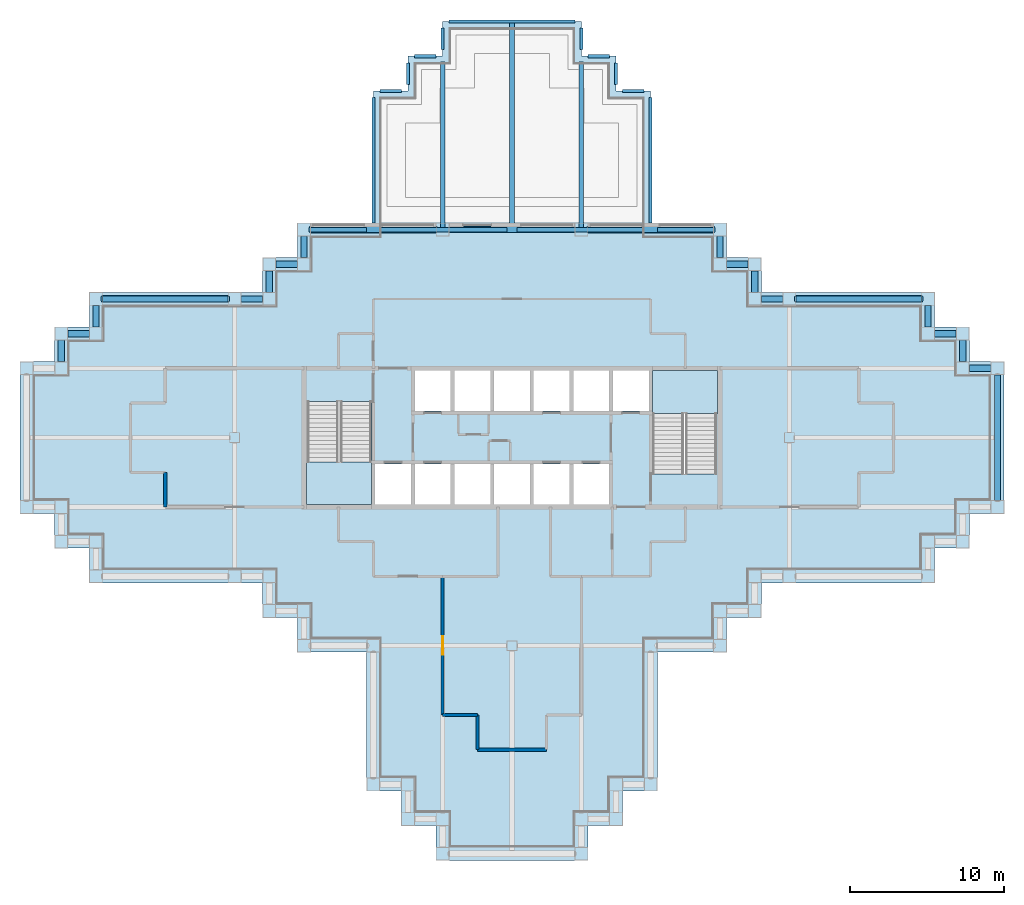
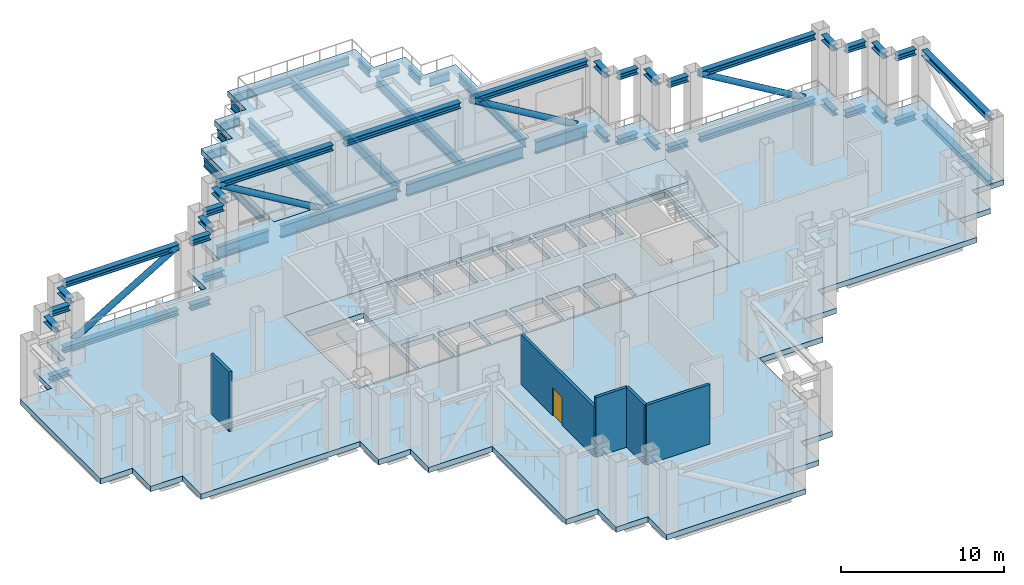
# One storey, part 2 of 10: 57 beams, 5 slabs, 5 walls, 4 members, 1 door, 1 opening, 2 elements without a shape of their own.
"""IFC4 building model written with IfcOpenShell, lengths in metres."""

from ifc_helpers import new_model, si_unit, direction, frame, frame_2d, origin, origin_2d, place, context, subcontext, project, spatial, polyline, rectangle, hollow_circle, i_section, outline, extrude, material, layer, layer_set, material_profile, profile_set, type_object, element, fill, aggregate, save


model = new_model("IFC4")

# Units and contexts
model_context = context("Model", 3, precision=1e-05, world=origin(), true_north=direction((0.0, 1.0)))
body_context = subcontext(model_context, "Body", "Model", "MODEL_VIEW")
ifc_project = project(units=[si_unit("LENGTHUNIT", "METRE"), si_unit("AREAUNIT", "SQUARE_METRE"), si_unit("VOLUMEUNIT", "CUBIC_METRE"), si_unit("PLANEANGLEUNIT", "RADIAN"), si_unit("MASSUNIT", "GRAM", prefix="KILO")], contexts=[model_context])

# Site, building, storey
site_placement = place(None, origin())
site = spatial("IfcSite", under=ifc_project, at=site_placement, CompositionType="ELEMENT")
building_placement = place(site_placement, origin())
building = spatial("IfcBuilding", under=site, at=building_placement, Name="Caravel Reach Hotel and Residences", CompositionType="ELEMENT")
storey_placement = place(building_placement, frame((0.0, 0.0, 140.39990234375)))
storey = spatial("IfcBuildingStorey", under=building, at=storey_placement, Name="L35", CompositionType="ELEMENT", Elevation=140.39990234375)

# Beams
ifc_material_1 = material(Name="Structural steel Q355B", Category="steel")
ifc_material_profile_1 = material_profile(ifc_material_1, i_section(OverallWidth=0.300048828125, OverallDepth=0.699951171875, WebThickness=0.012939453125, FlangeThickness=0.02392578125, FilletRadius=0.01806640625, at=origin_2d()), Name="HN 700x300x13x24")
ifc_profile_set_1 = profile_set([ifc_material_profile_1], Name="Structural steel Q355B")
beam_type_1 = type_object("IfcBeamType", Name="Beam HN 700x300x13x24", PredefinedType="BEAM", material=ifc_profile_set_1)
beam_1_placement = place(storey_placement, frame((27.0, 40.60009765625, -0.75), z_axis=(0.0, 1.0, 0.0), x_axis=(-1.0, 0.0, 0.0)))
element("IfcBeam", 1, at=beam_1_placement, inside=storey, type_object=beam_type_1, Name="B2 HN 700x300x13x24", PredefinedType="BEAM", context=body_context, shape_type="SweptSolid", body=[
    extrude(i_section(OverallWidth=0.300048828125, OverallDepth=0.699951171875, WebThickness=0.012939453125, FlangeThickness=0.02392578125, FilletRadius=0.01806640625, at=origin_2d()), origin(), (0.0, 0.0, 1.0), 10.77490234375),
])
beam_2_placement = place(storey_placement, frame((31.5, 40.77490234375, -0.75), z_axis=(0.0, 1.0, 0.0), x_axis=(-1.0, 0.0, 0.0)))
element("IfcBeam", 2, at=beam_2_placement, inside=storey, type_object=beam_type_1, Name="B2 HN 700x300x13x24", PredefinedType="BEAM", context=body_context, shape_type="SweptSolid", body=[
    extrude(i_section(OverallWidth=0.300048828125, OverallDepth=0.699951171875, WebThickness=0.012939453125, FlangeThickness=0.02392578125, FilletRadius=0.01806640625, at=origin_2d()), origin(), (0.0, 0.0, 1.0), 13.125),
])
beam_3_placement = place(storey_placement, frame((36.0, 40.60009765625, -0.75), z_axis=(0.0, 1.0, 0.0), x_axis=(-1.0, 0.0, 0.0)))
element("IfcBeam", 3, at=beam_3_placement, inside=storey, type_object=beam_type_1, Name="B2 HN 700x300x13x24", PredefinedType="BEAM", context=body_context, shape_type="SweptSolid", body=[
    extrude(i_section(OverallWidth=0.300048828125, OverallDepth=0.699951171875, WebThickness=0.012939453125, FlangeThickness=0.02392578125, FilletRadius=0.01806640625, at=origin_2d()), origin(), (0.0, 0.0, 1.0), 10.77490234375),
])
ifc_material_2 = material(Name="Structural steel Q355B", Category="steel")
ifc_material_profile_2 = material_profile(ifc_material_2, i_section(OverallWidth=0.302001953125, OverallDepth=0.912109375, WebThickness=0.01806640625, FlangeThickness=0.033935546875, FilletRadius=0.01806640625, at=origin_2d()), Name="HN 900x300x18x34")
ifc_profile_set_2 = profile_set([ifc_material_profile_2], Name="Structural steel Q355B")
beam_type_2 = type_object("IfcBeamType", Name="Beam HN 900x300x18x34", PredefinedType="BEAM", material=ifc_profile_set_2)
beam_4_placement = place(storey_placement, frame((44.574951171875, 40.5, -0.85595703125), z_axis=(-1.0, 0.0, 0.0), x_axis=(0.0, -1.0, 0.0)))
element("IfcBeam", 4, at=beam_4_placement, inside=storey, type_object=beam_type_2, Name="Transfer girder TG-L35-1", PredefinedType="BEAM", context=body_context, shape_type="SweptSolid", body=[
    extrude(i_section(OverallWidth=0.302001953125, OverallDepth=0.912109375, WebThickness=0.01806640625, FlangeThickness=0.033935546875, FilletRadius=0.01806640625, at=origin_2d()), origin(), (0.0, 0.0, 1.0), 3.64990234375),
])
for number, where, z_axis, x_axis, name in (
    (5, (40.074951171875, 40.5, -0.85595703125), (-1.0, 0.0, 0.0), (0.0, -1.0, 0.0), "Transfer girder TG-L35-2"),
    (6, (31.175048828125, 40.5, -0.85595703125), (-1.0, 0.0, 0.0), (0.0, -1.0, 0.0), "Transfer girder TG-L35-3"),
):
    element("IfcBeam", number, at=place(storey_placement, frame(where, z_axis=z_axis, x_axis=x_axis)), inside=storey, type_object=beam_type_2, Name=name, PredefinedType="BEAM", context=body_context, shape_type="SweptSolid", body=[
        extrude(i_section(OverallWidth=0.302001953125, OverallDepth=0.912109375, WebThickness=0.01806640625, FlangeThickness=0.033935546875, FilletRadius=0.01806640625, at=origin_2d()), origin(), (0.0, 0.0, 1.0), 8.25),
    ])
beam_5_placement = place(storey_placement, frame((22.074951171875, 40.5, -0.85595703125), z_axis=(-1.0, 0.0, 0.0), x_axis=(0.0, -1.0, 0.0)))
element("IfcBeam", 7, at=beam_5_placement, inside=storey, type_object=beam_type_2, Name="Transfer girder TG-L35-4", PredefinedType="BEAM", context=body_context, shape_type="SweptSolid", body=[
    extrude(i_section(OverallWidth=0.302001953125, OverallDepth=0.912109375, WebThickness=0.01806640625, FlangeThickness=0.033935546875, FilletRadius=0.01806640625, at=origin_2d()), origin(), (0.0, 0.0, 1.0), 3.64990234375),
])
ifc_material_3 = material(Name="Structural steel Q355B", Category="steel")
ifc_material_profile_3 = material_profile(ifc_material_3, i_section(OverallWidth=0.406982421875, OverallDepth=0.427978515625, WebThickness=0.02001953125, FlangeThickness=0.034912109375, FilletRadius=0.02197265625, at=origin_2d()), Name="HW 428x407x20x35")
ifc_profile_set_3 = profile_set([ifc_material_profile_3], Name="Structural steel Q355B")
beam_type_3 = type_object("IfcBeamType", Name="Beam HW 428x407x20x35", PredefinedType="BEAM", material=ifc_profile_set_3)
for number, where, z_axis, x_axis, name in (
    (8, (63.0, 22.925048828125, -0.614013671875), (0.0, 1.0, 0.0), (-1.0, 0.0, 0.0), "Belt truss BT-L35 bottom chord"),
    (9, (63.0, 22.925048828125, 4.236083984375), (0.0, 1.0, 0.0), (-1.0, 0.0, 0.0), "Belt truss BT-L35 top chord"),
):
    element("IfcBeam", number, at=place(storey_placement, frame(where, z_axis=z_axis, x_axis=x_axis)), inside=storey, type_object=beam_type_3, Name=name, PredefinedType="BEAM", context=body_context, shape_type="SweptSolid", body=[
        extrude(i_section(OverallWidth=0.406982421875, OverallDepth=0.427978515625, WebThickness=0.02001953125, FlangeThickness=0.034912109375, FilletRadius=0.02197265625, at=origin_2d()), origin(), (0.0, 0.0, 1.0), 8.14990234375),
    ])
for number, where, z_axis, x_axis, name in (
    (10, (62.574951171875, 31.5, -0.614013671875), (-1.0, 0.0, 0.0), (0.0, -1.0, 0.0), "Belt truss BT-L35 bottom chord"),
    (11, (62.574951171875, 31.5, 4.236083984375), (-1.0, 0.0, 0.0), (0.0, -1.0, 0.0), "Belt truss BT-L35 top chord"),
    (12, (60.75, 31.925048828125, -0.614013671875), (0.0, 1.0, 0.0), (-1.0, 0.0, 0.0), "Belt truss BT-L35 bottom chord"),
    (13, (60.75, 31.925048828125, 4.236083984375), (0.0, 1.0, 0.0), (-1.0, 0.0, 0.0), "Belt truss BT-L35 top chord"),
    (14, (60.324951171875, 33.75, -0.614013671875), (-1.0, 0.0, 0.0), (0.0, -1.0, 0.0), "Belt truss BT-L35 bottom chord"),
    (15, (60.324951171875, 33.75, 4.236083984375), (-1.0, 0.0, 0.0), (0.0, -1.0, 0.0), "Belt truss BT-L35 top chord"),
    (16, (58.5, 34.175048828125, -0.614013671875), (0.0, 1.0, 0.0), (-1.0, 0.0, 0.0), "Belt truss BT-L35 bottom chord"),
    (17, (58.5, 34.175048828125, 4.236083984375), (0.0, 1.0, 0.0), (-1.0, 0.0, 0.0), "Belt truss BT-L35 top chord"),
):
    element("IfcBeam", number, at=place(storey_placement, frame(where, z_axis=z_axis, x_axis=x_axis)), inside=storey, type_object=beam_type_3, Name=name, PredefinedType="BEAM", context=body_context, shape_type="SweptSolid", body=[
        extrude(i_section(OverallWidth=0.406982421875, OverallDepth=0.427978515625, WebThickness=0.02001953125, FlangeThickness=0.034912109375, FilletRadius=0.02197265625, at=origin_2d()), origin(), (0.0, 0.0, 1.0), 1.39990234375),
    ])
for number, where, z_axis, x_axis, name in (
    (18, (58.074951171875, 36.0, -0.614013671875), (-1.0, 0.0, 0.0), (0.0, -1.0, 0.0), "Belt truss BT-L35 bottom chord"),
    (19, (58.074951171875, 36.0, 4.236083984375), (-1.0, 0.0, 0.0), (0.0, -1.0, 0.0), "Belt truss BT-L35 top chord"),
):
    element("IfcBeam", number, at=place(storey_placement, frame(where, z_axis=z_axis, x_axis=x_axis)), inside=storey, type_object=beam_type_3, Name=name, PredefinedType="BEAM", context=body_context, shape_type="SweptSolid", body=[
        extrude(i_section(OverallWidth=0.406982421875, OverallDepth=0.427978515625, WebThickness=0.02001953125, FlangeThickness=0.034912109375, FilletRadius=0.02197265625, at=origin_2d()), origin(), (0.0, 0.0, 1.0), 8.14990234375),
    ])
for number, where, z_axis, x_axis, name in (
    (20, (49.074951171875, 36.0, -0.614013671875), (-1.0, 0.0, 0.0), (0.0, -1.0, 0.0), "Belt truss BT-L35 bottom chord"),
    (21, (49.074951171875, 36.0, 4.236083984375), (-1.0, 0.0, 0.0), (0.0, -1.0, 0.0), "Belt truss BT-L35 top chord"),
    (22, (47.25, 36.425048828125, -0.614013671875), (0.0, 1.0, 0.0), (-1.0, 0.0, 0.0), "Belt truss BT-L35 bottom chord"),
    (23, (47.25, 36.425048828125, 4.236083984375), (0.0, 1.0, 0.0), (-1.0, 0.0, 0.0), "Belt truss BT-L35 top chord"),
    (24, (46.824951171875, 38.25, -0.614013671875), (-1.0, 0.0, 0.0), (0.0, -1.0, 0.0), "Belt truss BT-L35 bottom chord"),
    (25, (46.824951171875, 38.25, 4.236083984375), (-1.0, 0.0, 0.0), (0.0, -1.0, 0.0), "Belt truss BT-L35 top chord"),
    (26, (45.0, 38.675048828125, -0.614013671875), (0.0, 1.0, 0.0), (-1.0, 0.0, 0.0), "Belt truss BT-L35 bottom chord"),
    (27, (45.0, 38.675048828125, 4.236083984375), (0.0, 1.0, 0.0), (-1.0, 0.0, 0.0), "Belt truss BT-L35 top chord"),
):
    element("IfcBeam", number, at=place(storey_placement, frame(where, z_axis=z_axis, x_axis=x_axis)), inside=storey, type_object=beam_type_3, Name=name, PredefinedType="BEAM", context=body_context, shape_type="SweptSolid", body=[
        extrude(i_section(OverallWidth=0.406982421875, OverallDepth=0.427978515625, WebThickness=0.02001953125, FlangeThickness=0.034912109375, FilletRadius=0.02197265625, at=origin_2d()), origin(), (0.0, 0.0, 1.0), 1.39990234375),
    ])
for number, where, z_axis, x_axis, name in (
    (28, (44.574951171875, 40.5, 4.236083984375), (-1.0, 0.0, 0.0), (0.0, -1.0, 0.0), "Belt truss BT-L35 top chord"),
    (29, (35.574951171875, 40.5, 4.236083984375), (-1.0, 0.0, 0.0), (0.0, -1.0, 0.0), "Belt truss BT-L35 top chord"),
    (30, (26.574951171875, 40.5, 4.236083984375), (-1.0, 0.0, 0.0), (0.0, -1.0, 0.0), "Belt truss BT-L35 top chord"),
):
    element("IfcBeam", number, at=place(storey_placement, frame(where, z_axis=z_axis, x_axis=x_axis)), inside=storey, type_object=beam_type_3, Name=name, PredefinedType="BEAM", context=body_context, shape_type="SweptSolid", body=[
        extrude(i_section(OverallWidth=0.406982421875, OverallDepth=0.427978515625, WebThickness=0.02001953125, FlangeThickness=0.034912109375, FilletRadius=0.02197265625, at=origin_2d()), origin(), (0.0, 0.0, 1.0), 8.14990234375),
    ])
for number, where, z_axis, x_axis, name in (
    (31, (18.0, 40.074951171875, -0.614013671875), (0.0, -1.0, 0.0), (1.0, 0.0, 0.0), "Belt truss BT-L35 bottom chord"),
    (32, (18.0, 40.074951171875, 4.236083984375), (0.0, -1.0, 0.0), (1.0, 0.0, 0.0), "Belt truss BT-L35 top chord"),
    (33, (17.574951171875, 38.25, -0.614013671875), (-1.0, 0.0, 0.0), (0.0, -1.0, 0.0), "Belt truss BT-L35 bottom chord"),
    (34, (17.574951171875, 38.25, 4.236083984375), (-1.0, 0.0, 0.0), (0.0, -1.0, 0.0), "Belt truss BT-L35 top chord"),
    (35, (15.75, 37.824951171875, -0.614013671875), (0.0, -1.0, 0.0), (1.0, 0.0, 0.0), "Belt truss BT-L35 bottom chord"),
    (36, (15.75, 37.824951171875, 4.236083984375), (0.0, -1.0, 0.0), (1.0, 0.0, 0.0), "Belt truss BT-L35 top chord"),
    (37, (15.324951171875, 36.0, -0.614013671875), (-1.0, 0.0, 0.0), (0.0, -1.0, 0.0), "Belt truss BT-L35 bottom chord"),
    (38, (15.324951171875, 36.0, 4.236083984375), (-1.0, 0.0, 0.0), (0.0, -1.0, 0.0), "Belt truss BT-L35 top chord"),
):
    element("IfcBeam", number, at=place(storey_placement, frame(where, z_axis=z_axis, x_axis=x_axis)), inside=storey, type_object=beam_type_3, Name=name, PredefinedType="BEAM", context=body_context, shape_type="SweptSolid", body=[
        extrude(i_section(OverallWidth=0.406982421875, OverallDepth=0.427978515625, WebThickness=0.02001953125, FlangeThickness=0.034912109375, FilletRadius=0.02197265625, at=origin_2d()), origin(), (0.0, 0.0, 1.0), 1.39990234375),
    ])
for number, where, z_axis, x_axis, name in (
    (39, (13.074951171875, 36.0, -0.614013671875), (-1.0, 0.0, 0.0), (0.0, -1.0, 0.0), "Belt truss BT-L35 bottom chord"),
    (40, (13.074951171875, 36.0, 4.236083984375), (-1.0, 0.0, 0.0), (0.0, -1.0, 0.0), "Belt truss BT-L35 top chord"),
):
    element("IfcBeam", number, at=place(storey_placement, frame(where, z_axis=z_axis, x_axis=x_axis)), inside=storey, type_object=beam_type_3, Name=name, PredefinedType="BEAM", context=body_context, shape_type="SweptSolid", body=[
        extrude(i_section(OverallWidth=0.406982421875, OverallDepth=0.427978515625, WebThickness=0.02001953125, FlangeThickness=0.034912109375, FilletRadius=0.02197265625, at=origin_2d()), origin(), (0.0, 0.0, 1.0), 8.14990234375),
    ])
for number, where, z_axis, x_axis, name in (
    (41, (4.5, 35.574951171875, -0.614013671875), (0.0, -1.0, 0.0), (1.0, 0.0, 0.0), "Belt truss BT-L35 bottom chord"),
    (42, (4.5, 35.574951171875, 4.236083984375), (0.0, -1.0, 0.0), (1.0, 0.0, 0.0), "Belt truss BT-L35 top chord"),
    (43, (4.074951171875, 33.75, -0.614013671875), (-1.0, 0.0, 0.0), (0.0, -1.0, 0.0), "Belt truss BT-L35 bottom chord"),
    (44, (4.074951171875, 33.75, 4.236083984375), (-1.0, 0.0, 0.0), (0.0, -1.0, 0.0), "Belt truss BT-L35 top chord"),
    (45, (2.25, 33.324951171875, -0.614013671875), (0.0, -1.0, 0.0), (1.0, 0.0, 0.0), "Belt truss BT-L35 bottom chord"),
    (46, (2.25, 33.324951171875, 4.236083984375), (0.0, -1.0, 0.0), (1.0, 0.0, 0.0), "Belt truss BT-L35 top chord"),
):
    element("IfcBeam", number, at=place(storey_placement, frame(where, z_axis=z_axis, x_axis=x_axis)), inside=storey, type_object=beam_type_3, Name=name, PredefinedType="BEAM", context=body_context, shape_type="SweptSolid", body=[
        extrude(i_section(OverallWidth=0.406982421875, OverallDepth=0.427978515625, WebThickness=0.02001953125, FlangeThickness=0.034912109375, FilletRadius=0.02197265625, at=origin_2d()), origin(), (0.0, 0.0, 1.0), 1.39990234375),
    ])

# Members
ifc_material_4 = material(Name="Structural steel Q390B", Category="steel")
ifc_material_profile_4 = material_profile(ifc_material_4, hollow_circle(Radius=0.212890625, WallThickness=0.01611328125, at=origin_2d()), Name="CHS 426x16")
ifc_profile_set_4 = profile_set([ifc_material_profile_4], Name="Structural steel Q390B")
member_type = type_object("IfcMemberType", Name="Brace CHS 426x16", PredefinedType="BRACE", material=ifc_profile_set_4)
for number, where, z_axis, x_axis, name in (
    (47, (58.074951171875, 36.0, -0.614013671875), (-0.859340831555, 0.0, 0.511403299972), (0.0, -1.0, 0.0), "Belt truss BT-L35 diagonal"),
    (48, (44.574951171875, 40.5, -0.614013671875), (-0.859340831555, 0.0, 0.511403299972), (0.0, -1.0, 0.0), "Belt truss BT-L35 diagonal"),
    (49, (26.574951171875, 40.5, -0.614013671875), (-0.859340831555, 0.0, 0.511403299972), (0.0, -1.0, 0.0), "Belt truss BT-L35 diagonal"),
    (50, (4.925048828125, 36.0, -0.614013671875), (0.859340831555, 0.0, 0.511403299972), (0.0, 1.0, 0.0), "Belt truss BT-L35 diagonal"),
):
    element("IfcMember", number, at=place(storey_placement, frame(where, z_axis=z_axis, x_axis=x_axis)), inside=storey, type_object=member_type, Name=name, PredefinedType="BRACE", context=body_context, shape_type="SweptSolid", body=[
        extrude(hollow_circle(Radius=0.212890625, WallThickness=0.01611328125, at=origin_2d()), origin(), (0.0, 0.0, 1.0), 9.48388671875),
    ])

# Beams
ifc_material_5 = material(Name="Structural steel Q355B", Category="steel")
ifc_material_profile_5 = material_profile(ifc_material_5, i_section(OverallWidth=0.199951171875, OverallDepth=0.60009765625, WebThickness=0.010986328125, FlangeThickness=0.01708984375, FilletRadius=0.012939453125, at=origin_2d()), Name="HN 600x200x11x17")
ifc_profile_set_5 = profile_set([ifc_material_profile_5], Name="Structural steel Q355B")
beam_type_4 = type_object("IfcBeamType", Name="Edge beam HN 600x200x11x17", PredefinedType="USERDEFINED", material=ifc_profile_set_5)
for number, where, z_axis, x_axis, name in (
    (51, (22.5, 49.074951171875, -0.699951171875), (0.0, -1.0, 0.0), (1.0, 0.0, 0.0), "EB1 HN 600x200x11x17"),
    (52, (40.5, 40.925048828125, -0.699951171875), (0.0, 1.0, 0.0), (-1.0, 0.0, 0.0), "EB1 HN 600x200x11x17"),
):
    element("IfcBeam", number, at=place(storey_placement, frame(where, z_axis=z_axis, x_axis=x_axis)), inside=storey, type_object=beam_type_4, Name=name, ObjectType="Edge beam", PredefinedType="USERDEFINED", context=body_context, shape_type="SweptSolid", body=[
        extrude(i_section(OverallWidth=0.199951171875, OverallDepth=0.60009765625, WebThickness=0.010986328125, FlangeThickness=0.01708984375, FilletRadius=0.012939453125, at=origin_2d()), origin(), (0.0, 0.0, 1.0), 8.14990234375),
    ])
for number, where, z_axis, x_axis, name in (
    (53, (40.074951171875, 49.5, -0.699951171875), (-1.0, 0.0, 0.0), (0.0, -1.0, 0.0), "EB1 HN 600x200x11x17"),
    (54, (38.25, 49.925048828125, -0.699951171875), (0.0, 1.0, 0.0), (-1.0, 0.0, 0.0), "EB1 HN 600x200x11x17"),
    (55, (37.824951171875, 51.75, -0.699951171875), (-1.0, 0.0, 0.0), (0.0, -1.0, 0.0), "EB1 HN 600x200x11x17"),
    (56, (36.0, 52.175048828125, -0.699951171875), (0.0, 1.0, 0.0), (-1.0, 0.0, 0.0), "EB1 HN 600x200x11x17"),
):
    element("IfcBeam", number, at=place(storey_placement, frame(where, z_axis=z_axis, x_axis=x_axis)), inside=storey, type_object=beam_type_4, Name=name, ObjectType="Edge beam", PredefinedType="USERDEFINED", context=body_context, shape_type="SweptSolid", body=[
        extrude(i_section(OverallWidth=0.199951171875, OverallDepth=0.60009765625, WebThickness=0.010986328125, FlangeThickness=0.01708984375, FilletRadius=0.012939453125, at=origin_2d()), origin(), (0.0, 0.0, 1.0), 1.39990234375),
    ])
beam_6_placement = place(storey_placement, frame((35.574951171875, 54.0, -0.699951171875), z_axis=(-1.0, 0.0, 0.0), x_axis=(0.0, -1.0, 0.0)))
element("IfcBeam", 57, at=beam_6_placement, inside=storey, type_object=beam_type_4, Name="EB1 HN 600x200x11x17", ObjectType="Edge beam", PredefinedType="USERDEFINED", context=body_context, shape_type="SweptSolid", body=[
    extrude(i_section(OverallWidth=0.199951171875, OverallDepth=0.60009765625, WebThickness=0.010986328125, FlangeThickness=0.01708984375, FilletRadius=0.012939453125, at=origin_2d()), origin(), (0.0, 0.0, 1.0), 8.14990234375),
])
for number, where, z_axis, x_axis, name in (
    (58, (27.0, 53.574951171875, -0.699951171875), (0.0, -1.0, 0.0), (1.0, 0.0, 0.0), "EB1 HN 600x200x11x17"),
    (59, (26.574951171875, 51.75, -0.699951171875), (-1.0, 0.0, 0.0), (0.0, -1.0, 0.0), "EB1 HN 600x200x11x17"),
    (60, (24.75, 51.324951171875, -0.699951171875), (0.0, -1.0, 0.0), (1.0, 0.0, 0.0), "EB1 HN 600x200x11x17"),
    (61, (24.324951171875, 49.5, -0.699951171875), (-1.0, 0.0, 0.0), (0.0, -1.0, 0.0), "EB1 HN 600x200x11x17"),
):
    element("IfcBeam", number, at=place(storey_placement, frame(where, z_axis=z_axis, x_axis=x_axis)), inside=storey, type_object=beam_type_4, Name=name, ObjectType="Edge beam", PredefinedType="USERDEFINED", context=body_context, shape_type="SweptSolid", body=[
        extrude(i_section(OverallWidth=0.199951171875, OverallDepth=0.60009765625, WebThickness=0.010986328125, FlangeThickness=0.01708984375, FilletRadius=0.012939453125, at=origin_2d()), origin(), (0.0, 0.0, 1.0), 1.39990234375),
    ])

# Slab
ifc_material_6 = material(Name="Concrete C40", Category="concrete")
ifc_layer_1 = layer(ifc_material_6, 0.39990234375)
ifc_layer_set_1 = layer_set([ifc_layer_1], Name="Core floor slab 400 mm")
slab_type_1 = type_object("IfcSlabType", Name="Core floor slab 400 mm", PredefinedType="FLOOR", material=ifc_layer_set_1)
slab_1_placement = place(storey_placement, frame((0.0, 0.0, -0.39990234375)))
element("IfcSlab", 62, at=slab_1_placement, inside=storey, type_object=slab_type_1, Name="L35 core floor", PredefinedType="FLOOR", context=body_context, shape_type="SweptSolid", body=[
    extrude(outline(polyline([(18.0, 31.5), (45.0, 31.5), (45.0, 22.5), (18.0, 22.5), (18.0, 31.5)]), holes=[polyline([(22.625, 25.27490234375), (22.625, 22.64990234375), (24.9462890625, 22.64990234375), (24.9462890625, 25.27490234375), (22.625, 25.27490234375)]), polyline([(27.517822265625, 25.27490234375), (25.1962890625, 25.27490234375), (25.1962890625, 22.64990234375), (27.517822265625, 22.64990234375), (27.517822265625, 25.27490234375)]), polyline([(30.08935546875, 25.27490234375), (27.767822265625, 25.27490234375), (27.767822265625, 22.64990234375), (30.08935546875, 22.64990234375), (30.08935546875, 25.27490234375)]), polyline([(32.66064453125, 25.27490234375), (30.33935546875, 25.27490234375), (30.33935546875, 22.64990234375), (32.66064453125, 22.64990234375), (32.66064453125, 25.27490234375)]), polyline([(18.22509765625, 22.64990234375), (22.375, 22.64990234375), (22.375, 29.35009765625), (18.22509765625, 29.35009765625), (18.22509765625, 22.64990234375)]), polyline([(27.517822265625, 31.35009765625), (25.1962890625, 31.35009765625), (25.1962890625, 28.72509765625), (27.517822265625, 28.72509765625), (27.517822265625, 31.35009765625)]), polyline([(30.08935546875, 31.35009765625), (27.767822265625, 31.35009765625), (27.767822265625, 28.72509765625), (30.08935546875, 28.72509765625), (30.08935546875, 31.35009765625)]), polyline([(32.91064453125, 25.27490234375), (32.91064453125, 22.64990234375), (35.232177734375, 22.64990234375), (35.232177734375, 25.27490234375), (32.91064453125, 25.27490234375)]), polyline([(37.8037109375, 25.27490234375), (35.482177734375, 25.27490234375), (35.482177734375, 22.64990234375), (37.8037109375, 22.64990234375), (37.8037109375, 25.27490234375)]), polyline([(44.77490234375, 31.35009765625), (40.625, 31.35009765625), (40.625, 24.64990234375), (44.77490234375, 24.64990234375), (44.77490234375, 31.35009765625)]), polyline([(32.66064453125, 31.35009765625), (30.33935546875, 31.35009765625), (30.33935546875, 28.72509765625), (32.66064453125, 28.72509765625), (32.66064453125, 31.35009765625)]), polyline([(35.232177734375, 31.35009765625), (32.91064453125, 31.35009765625), (32.91064453125, 28.72509765625), (35.232177734375, 28.72509765625), (35.232177734375, 31.35009765625)]), polyline([(37.8037109375, 31.35009765625), (35.482177734375, 31.35009765625), (35.482177734375, 28.72509765625), (37.8037109375, 28.72509765625), (37.8037109375, 31.35009765625)]), polyline([(40.375, 31.35009765625), (38.0537109375, 31.35009765625), (38.0537109375, 28.72509765625), (40.375, 28.72509765625), (40.375, 31.35009765625)])]), origin(), (0.0, 0.0, 1.0), 0.39990234375),
])

# Stair, slab
ifc_material_7 = material(Name="Concrete C40", Category="concrete")
stair_type = type_object("IfcStairType", Name="Core stair", PredefinedType="HALF_TURN_STAIR", material=ifc_material_7)
stair_1_placement = place(storey_placement, origin())
stair_1 = element("IfcStair", 63, at=stair_1_placement, inside=storey, type_object=stair_type, Name="L35 Exit stair A", PredefinedType="HALF_TURN_STAIR")
ifc_material_8 = material(Name="Concrete C40", Category="concrete")
ifc_layer_2 = layer(ifc_material_8, 0.199951171875)
ifc_layer_set_2 = layer_set([ifc_layer_2], Name="Core stair landing")
slab_type_2 = type_object("IfcSlabType", Name="Core stair landing", PredefinedType="LANDING", material=ifc_layer_set_2)
slab_2_placement = place(storey_placement, frame((0.0, 0.0, 2.2001953125)))
slab_2 = element("IfcSlab", 64, at=slab_2_placement, type_object=slab_type_2, Name="ST-A landing 1", PredefinedType="LANDING", context=body_context, shape_type="SweptSolid", body=[
    extrude(outline(polyline([(18.14990234375, 25.429931640625), (18.14990234375, 22.64990234375), (22.375, 22.64990234375), (22.375, 25.429931640625), (18.14990234375, 25.429931640625)])), origin(), (0.0, 0.0, 1.0), 0.199951171875),
])
aggregate(stair_1, [slab_2])

stair_2_placement = place(storey_placement, origin())
stair_2 = element("IfcStair", 65, at=stair_2_placement, inside=storey, type_object=stair_type, Name="L35 Exit stair B", PredefinedType="HALF_TURN_STAIR")
slab_3_placement = place(storey_placement, frame((0.0, 0.0, 2.2001953125)))
slab_3 = element("IfcSlab", 66, at=slab_3_placement, type_object=slab_type_2, Name="ST-B landing 1", PredefinedType="LANDING", context=body_context, shape_type="SweptSolid", body=[
    extrude(outline(polyline([(44.85009765625, 28.570068359375), (44.85009765625, 31.35009765625), (40.625, 31.35009765625), (40.625, 28.570068359375), (44.85009765625, 28.570068359375)])), origin(), (0.0, 0.0, 1.0), 0.199951171875),
])
aggregate(stair_2, [slab_3])

# Slabs
ifc_material_9 = material(Name="Concrete C40 post-tensioned", Category="concrete")
ifc_layer_3 = layer(ifc_material_9, 0.39990234375)
ifc_layer_set_3 = layer_set([ifc_layer_3], Name="Floor slab 400")
slab_type_3 = type_object("IfcSlabType", Name="Floor slab 400", PredefinedType="FLOOR", material=ifc_layer_set_3)
slab_4_placement = place(storey_placement, frame((0.0, 0.0, -0.39990234375)))
element("IfcSlab", 67, at=slab_4_placement, inside=storey, type_object=slab_type_3, Name="S4 slab L35", PredefinedType="FLOOR", context=body_context, shape_type="SweptSolid", body=[
    extrude(outline(polyline([(40.5, 40.925048828125), (45.425048828125, 40.925048828125), (45.425048828125, 38.675048828125), (47.675048828125, 38.675048828125), (47.675048828125, 36.425048828125), (58.925048828125, 36.425048828125), (58.925048828125, 34.175048828125), (61.175048828125, 34.175048828125), (61.175048828125, 31.925048828125), (63.425048828125, 31.925048828125), (63.425048828125, 22.074951171875), (61.175048828125, 22.074951171875), (61.175048828125, 19.824951171875), (58.925048828125, 19.824951171875), (58.925048828125, 17.574951171875), (47.675048828125, 17.574951171875), (47.675048828125, 15.324951171875), (45.425048828125, 15.324951171875), (45.425048828125, 13.074951171875), (40.925048828125, 13.074951171875), (40.925048828125, 4.074951171875), (38.675048828125, 4.074951171875), (38.675048828125, 1.824951171875), (36.425048828125, 1.824951171875), (36.425048828125, -0.425048828125), (26.574951171875, -0.425048828125), (26.574951171875, 1.824951171875), (24.324951171875, 1.824951171875), (24.324951171875, 4.074951171875), (22.074951171875, 4.074951171875), (22.074951171875, 13.074951171875), (17.574951171875, 13.074951171875), (17.574951171875, 15.324951171875), (15.324951171875, 15.324951171875), (15.324951171875, 17.574951171875), (4.074951171875, 17.574951171875), (4.074951171875, 19.824951171875), (1.824951171875, 19.824951171875), (1.824951171875, 22.074951171875), (-0.425048828125, 22.074951171875), (-0.425048828125, 31.925048828125), (1.824951171875, 31.925048828125), (1.824951171875, 34.175048828125), (4.074951171875, 34.175048828125), (4.074951171875, 36.425048828125), (15.324951171875, 36.425048828125), (15.324951171875, 38.675048828125), (17.574951171875, 38.675048828125), (17.574951171875, 40.925048828125), (22.5, 40.925048828125), (22.5, 40.5), (40.5, 40.5), (40.5, 40.925048828125)]), holes=[polyline([(45.0, 31.5), (18.0, 31.5), (18.0, 22.5), (45.0, 22.5), (45.0, 31.5)])]), origin(), (0.0, 0.0, 1.0), 0.39990234375),
])
ifc_material_10 = material(Name="Concrete C40", Category="concrete")
ifc_layer_4 = layer(ifc_material_10, 0.39990234375)
ifc_layer_set_4 = layer_set([ifc_layer_4], Name="Roof terrace slab 400")
slab_type_4 = type_object("IfcSlabType", Name="Roof terrace slab 400", PredefinedType="ROOF", material=ifc_layer_set_4)
slab_5_placement = place(storey_placement, frame((0.0, 0.0, -0.39990234375)))
element("IfcSlab", 68, at=slab_5_placement, inside=storey, type_object=slab_type_4, Name="terrace slab N", PredefinedType="ROOF", context=body_context, shape_type="SweptSolid", body=[
    extrude(outline(polyline([(22.5, 49.5), (24.75, 49.5), (24.75, 51.75), (27.0, 51.75), (27.0, 54.0), (36.0, 54.0), (36.0, 51.75), (38.25, 51.75), (38.25, 49.5), (40.5, 49.5), (40.5, 40.5), (22.5, 40.5), (22.5, 49.5)])), origin(), (0.0, 0.0, 1.0), 0.39990234375),
])

# Walls
ifc_material_11 = material(Name="Autoclaved aerated block wall")
ifc_layer_5 = layer(ifc_material_11, 0.199951171875)
ifc_layer_set_5 = layer_set([ifc_layer_5], Name="Compartment wall 200 mm EI 120")
wall_type = type_object("IfcWallType", Name="Compartment wall 200 mm EI 120", PredefinedType="PARTITIONING", material=ifc_layer_set_5)
wall_1_placement = place(storey_placement, frame((29.25, 6.75, 0.0), z_axis=(0.0, 0.0, 1.0), x_axis=(1.0, 0.0, 0.0)))
element("IfcWall", 69, at=wall_1_placement, inside=storey, type_object=wall_type, Name="L35 wall w025", PredefinedType="PARTITIONING", context=body_context, shape_type="SweptSolid", body=[
    extrude(rectangle(XDim=4.5, YDim=0.199951171875, at=frame_2d((2.25, 0.0))), origin(), (0.0, 0.0, 1.0), 4.4501953125),
])
wall_2_placement = place(storey_placement, frame((27.0, 9.0, 0.0), z_axis=(0.0, 0.0, 1.0), x_axis=(1.0, 0.0, 0.0)))
element("IfcWall", 70, at=wall_2_placement, inside=storey, type_object=wall_type, Name="L35 wall w026", PredefinedType="PARTITIONING", context=body_context, shape_type="SweptSolid", body=[
    extrude(rectangle(XDim=2.25, YDim=0.199951171875, at=frame_2d((1.125, 0.0))), origin(), (0.0, 0.0, 1.0), 4.4501953125),
])

# Wall, opening, door
wall_3_placement = place(storey_placement, frame((27.0, 9.0, 0.0), z_axis=(0.0, 0.0, 1.0), x_axis=(0.0, 1.0, 0.0)))
wall_3 = element("IfcWall", 71, at=wall_3_placement, inside=storey, type_object=wall_type, Name="L35 wall w032", PredefinedType="PARTITIONING", context=body_context, shape_type="SweptSolid", body=[
    extrude(rectangle(XDim=9.0, YDim=0.199951171875, at=frame_2d((4.5, 0.0))), origin(), (0.0, 0.0, 1.0), 3.72998046875),
])
opening_placement = place(wall_3_placement, frame((3.89990234375, 0.0, 0.0)))
opening = element("IfcOpeningElement", 72, at=opening_placement, cuts=wall_3, Name="Opening D35-017", PredefinedType="OPENING", context=body_context, shape_type="SweptSolid", body=[
    extrude(rectangle(XDim=1.199951171875, YDim=2.10009765625, at=frame_2d((0.60009765625, 1.050048828125))), frame((0.0, 0.10986328125, 0.0), z_axis=(0.0, -1.0, 0.0), x_axis=(1.0, 0.0, 0.0)), (0.0, 0.0, 1.0), 0.219970703125),
])
ifc_material_12 = material(Name="Steel fire door leaf", Category="steel")
door_type = type_object("IfcDoorType", Name="Plant room door 1200 x 2100 EI 60", OperationType="SINGLE_SWING_LEFT", PredefinedType="DOOR", material=ifc_material_12)
door_placement = place(opening_placement, origin())
door = element("IfcDoor", 73, at=door_placement, inside=storey, type_object=door_type, Name="door D35-017", OperationType="SINGLE_SWING_RIGHT", OverallHeight=2.10009765625, OverallWidth=1.199951171875, PredefinedType="DOOR", context=body_context, shape_type="SweptSolid", body=[
    extrude(rectangle(XDim=1.199951171875, YDim=2.10009765625, at=frame_2d((0.60009765625, 1.050048828125))), frame((0.0, 0.02490234375, 0.0), z_axis=(0.0, -1.0, 0.0), x_axis=(1.0, 0.0, 0.0)), (0.0, 0.0, 1.0), 0.050048828125),
])
fill(opening, door)

# Walls
for number, where, z_axis, x_axis, name in (
    (74, (29.25, 6.75, 0.0), (0.0, 0.0, 1.0), (0.0, 1.0, 0.0), "L35 wall w033"),
    (75, (9.0, 22.5, 0.0), (0.0, 0.0, 1.0), (0.0, 1.0, 0.0), "L35 wall w042"),
):
    element("IfcWall", number, at=place(storey_placement, frame(where, z_axis=z_axis, x_axis=x_axis)), inside=storey, type_object=wall_type, Name=name, PredefinedType="PARTITIONING", context=body_context, shape_type="SweptSolid", body=[
        extrude(rectangle(XDim=2.25, YDim=0.199951171875, at=frame_2d((1.125, 0.0))), origin(), (0.0, 0.0, 1.0), 4.4501953125),
    ])

save(model, "model.ifc")
